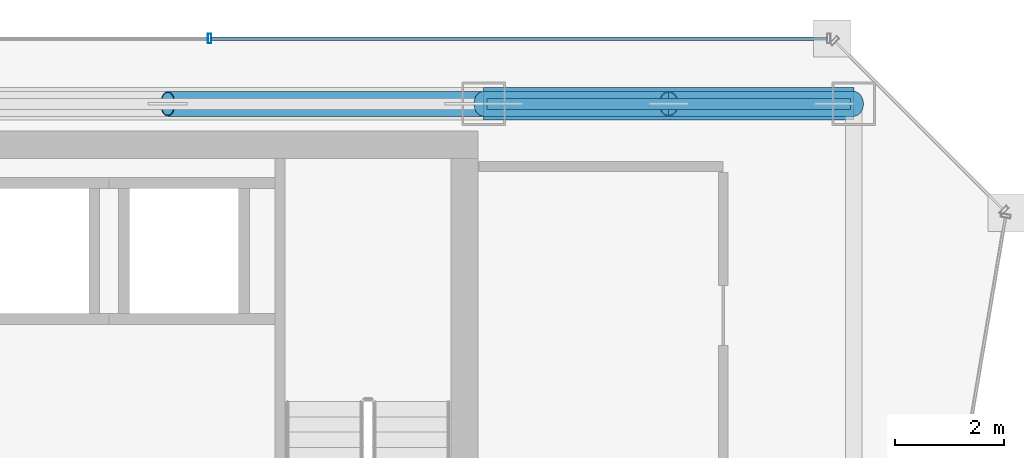
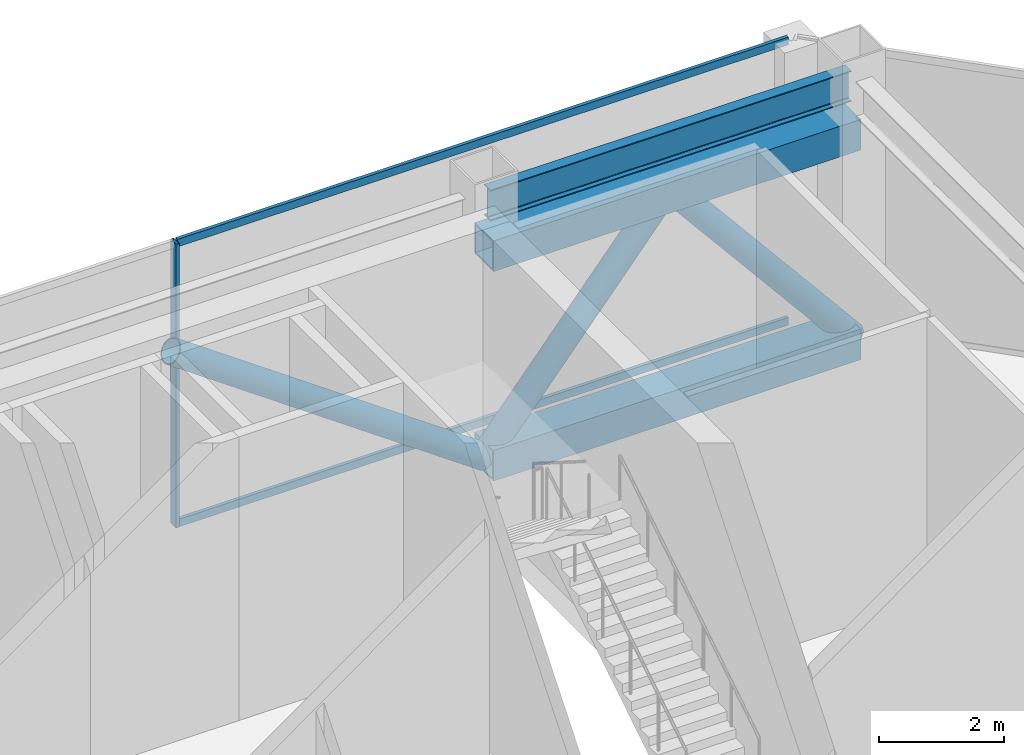
# One storey, part 26 of 34: 8 members, 1 beam, 1 element without a shape of its own.
"""IFC4 building model written with IfcOpenShell, lengths in metres."""

import ifcopenshell
import ifcopenshell.guid

model = None  # the IFC model being written
_history = None  # IfcOwnerHistory: only IFC2X3 demands one
_inside = {}  # id of a spatial element -> (the spatial element, [elements in it])
_under = {}  # id of a project, library or spatial element -> (it, [spatial elements below it])
_declared = {}  # id of a project -> (the project, [libraries it declares])
_typed = {}  # id of a type object -> (the type object, [elements of that type])
_made_of = {}  # id of a material, layer set ... -> (it, [elements and type objects made of it])


def new_model(schema):
    """Start an empty IFC model of exactly this schema.

    Asked for "IFC4X3", IfcOpenShell would pick the latest addendum, in which some entities
    have other attributes; the version numbers below select the first issue.
    IFC2X3 requires an IfcOwnerHistory on every rooted entity: one is made here for all.
    """
    global model, _history
    if schema == "IFC4X3":
        model = ifcopenshell.file(schema_version=(4, 3, 0, 0))
    else:
        model = ifcopenshell.file(schema=schema)
    _inside.clear()
    _under.clear()
    _declared.clear()
    _typed.clear()
    _made_of.clear()
    _history = None
    if model.schema == "IFC2X3":
        org = make("IfcOrganization", Name="unknown")
        user = make(
            "IfcPersonAndOrganization",
            ThePerson=make("IfcPerson", FamilyName="unknown"),
            TheOrganization=org,
        )
        app = make(
            "IfcApplication",
            ApplicationDeveloper=org,
            Version="unknown",
            ApplicationFullName="unknown",
            ApplicationIdentifier="unknown",
        )
        _history = make(
            "IfcOwnerHistory",
            OwningUser=user,
            OwningApplication=app,
            ChangeAction="ADDED",
            CreationDate=0,
        )
    return model


def make(cls, **values):
    """One entity of the class cls with the attributes given. An attribute that is None is left unset."""
    return model.create_entity(
        cls, **{name: value for name, value in values.items() if value is not None}
    )


def rooted(cls, **values):
    """An entity with a GlobalId (a new one), such as an element, a storey or a relation."""
    return make(cls, GlobalId=ifcopenshell.guid.new(), OwnerHistory=_history, **values)


def si_unit(unit_type, name, prefix=None):
    """IfcSIUnit, for example si_unit("LENGTHUNIT", "METRE", prefix="MILLI")."""
    return make("IfcSIUnit", UnitType=unit_type, Prefix=prefix, Name=name)


def assignment(units):
    """IfcUnitAssignment: the units of a project."""
    return None if units is None else make("IfcUnitAssignment", Units=units)


def point(xyz):
    """IfcCartesianPoint."""
    return None if xyz is None else make("IfcCartesianPoint", Coordinates=xyz)


def direction(xyz):
    """IfcDirection."""
    return None if xyz is None else make("IfcDirection", DirectionRatios=xyz)


def frame(location, z_axis=None, x_axis=None):
    """IfcAxis2Placement3D, a coordinate frame: its origin and axes. An axis left out is left unset."""
    return make(
        "IfcAxis2Placement3D",
        Location=point(location),
        Axis=direction(z_axis),
        RefDirection=direction(x_axis),
    )


def frame_2d(location, x_axis=None):
    """IfcAxis2Placement2D, a coordinate frame in the plane: its origin and x axis."""
    return make(
        "IfcAxis2Placement2D", Location=point(location), RefDirection=direction(x_axis)
    )


def origin():
    """The frame at (0, 0, 0) with its axes left unset."""
    return frame((0.0, 0.0, 0.0))


def origin_2d():
    """The frame at (0, 0) in the plane with its x axis left unset."""
    return frame_2d((0.0, 0.0))


def place(relative_to, where):
    """IfcLocalPlacement: puts the frame where relative to a parent placement (None: the world)."""
    return make(
        "IfcLocalPlacement", PlacementRelTo=relative_to, RelativePlacement=where
    )


def context(
    kind, dimensions, precision=None, world=None, true_north=None, identifier=None
):
    """IfcGeometricRepresentationContext, for example the 3D "Model" context."""
    return make(
        "IfcGeometricRepresentationContext",
        ContextIdentifier=identifier,
        ContextType=kind,
        CoordinateSpaceDimension=dimensions,
        Precision=precision,
        WorldCoordinateSystem=world,
        TrueNorth=true_north,
    )


def subcontext(parent, identifier, kind, view, scale=None):
    """IfcGeometricRepresentationSubContext, for example "Body" below "Model"."""
    return make(
        "IfcGeometricRepresentationSubContext",
        ContextIdentifier=identifier,
        ContextType=kind,
        ParentContext=parent,
        TargetScale=scale,
        TargetView=view,
    )


def project(units=None, contexts=None):
    """IfcProject with its units and contexts."""
    return rooted(
        "IfcProject",
        Name="project",
        RepresentationContexts=contexts,
        UnitsInContext=assignment(units),
    )


def spatial(cls, under=None, at=None, **own):
    """A site, building, storey or space (cls), placed at a placement, below another one or the project."""
    s = rooted(cls, ObjectPlacement=at, **own)
    if under is not None:
        _under.setdefault(under.id(), (under, []))[1].append(s)
    return s


def profile(cls, at=None, kind="AREA", **sizes):
    """A parametric profile (cls). Its sizes go by their IFC names, for example OverallWidth=200.0."""
    return make(cls, ProfileType=kind, Position=at, **sizes)


def hollow_rectangle(**sizes):
    """IfcRectangleHollowProfileDef."""
    return profile("IfcRectangleHollowProfileDef", **sizes)


def hollow_circle(**sizes):
    """IfcCircleHollowProfileDef."""
    return profile("IfcCircleHollowProfileDef", **sizes)


def i_section(**sizes):
    """IfcIShapeProfileDef."""
    return profile("IfcIShapeProfileDef", **sizes)


def extrude(swept, where, along, depth):
    """IfcExtrudedAreaSolid: the profile swept, set in the frame where, extruded along a direction by depth."""
    return make(
        "IfcExtrudedAreaSolid",
        SweptArea=swept,
        Position=where,
        ExtrudedDirection=direction(along),
        Depth=depth,
    )


def shape(context_of_items, identifier, shape_type, items):
    """IfcShapeRepresentation: the items that make up one representation, for example the "Body"."""
    return make(
        "IfcShapeRepresentation",
        ContextOfItems=context_of_items,
        RepresentationIdentifier=identifier,
        RepresentationType=shape_type,
        Items=items,
    )


def material(Name=None, Category=None):
    """IfcMaterial."""
    return make("IfcMaterial", Name=Name, Category=Category)


def material_profile(
    of_material, cross_section, Name=None, Category=None, Priority=None
):
    """IfcMaterialProfile: a cross section and its material."""
    return make(
        "IfcMaterialProfile",
        Name=Name,
        Material=of_material,
        Profile=cross_section,
        Priority=Priority,
        Category=Category,
    )


def profile_set(profiles, Name=None, composite=None):
    """IfcMaterialProfileSet."""
    return make(
        "IfcMaterialProfileSet",
        Name=Name,
        MaterialProfiles=profiles,
        CompositeProfile=composite,
    )


def made_of(thing, what):
    """Note that an element or type object is made of a material, layer set ...; save() writes the relation."""
    if what is not None:
        _made_of.setdefault(what.id(), (what, []))[1].append(thing)
    return thing


def type_object(cls, material=None, **own):
    """A type object (cls), such as IfcWallType, which elements share."""
    return made_of(rooted(cls, **own), material)


def element(
    cls,
    number,
    at=None,
    inside=None,
    cuts=None,
    type_object=None,
    material=None,
    context=None,
    identifier="Body",
    shape_type=None,
    held_by="IfcProductDefinitionShape",
    body=None,
    shapes=None,
    **own,
):
    """One element of the class cls, such as IfcWall. Its Tag is "e" and its number.

    at: its placement. inside: the storey or other place that contains it. cuts: it is an
    opening in that element (IfcRelVoidsElement). A single representation is given by context,
    identifier, shape_type and body (its items); several are given by shapes. held_by: the class
    of the entity that holds the representations. save() writes the other relations.
    """
    e = rooted(cls, Tag="e%d" % number, ObjectPlacement=at, **own)
    if body is not None:
        shapes = [shape(context, identifier, shape_type, body)]
    if shapes is not None:
        e.Representation = make(held_by, Representations=shapes)
    if inside is not None:
        _inside.setdefault(inside.id(), (inside, []))[1].append(e)
    if cuts is not None:
        rooted(
            "IfcRelVoidsElement", RelatingBuildingElement=cuts, RelatedOpeningElement=e
        )
    if type_object is not None:
        _typed.setdefault(type_object.id(), (type_object, []))[1].append(e)
    return made_of(e, material)


def aggregate(whole, parts):
    """IfcRelAggregates: a whole, such as a stair, and the parts it consists of."""
    return rooted("IfcRelAggregates", RelatingObject=whole, RelatedObjects=parts)


def save(model, path):
    """Write the relations noted so far, then the file.

    IfcRelAggregates (storeys below a building ...), IfcRelContainedInSpatialStructure (elements
    in a storey), IfcRelDefinesByType, IfcRelAssociatesMaterial and IfcRelDeclares: one each for
    every whole, place, type object, material and project.
    """
    for whole, parts in _under.values():
        aggregate(whole, parts)
    for where, things in _inside.values():
        rooted(
            "IfcRelContainedInSpatialStructure",
            RelatedElements=things,
            RelatingStructure=where,
        )
    for kind, things in _typed.values():
        rooted("IfcRelDefinesByType", RelatedObjects=things, RelatingType=kind)
    for what, things in _made_of.values():
        rooted("IfcRelAssociatesMaterial", RelatedObjects=things, RelatingMaterial=what)
    for by, libraries in _declared.values():
        rooted("IfcRelDeclares", RelatingContext=by, RelatedDefinitions=libraries)
    model.write(path)


model = new_model("IFC4")

# Units and contexts
model_context = context("Model", 3, precision=1e-05, world=origin(), true_north=direction((0.0, 1.0)))
body_context = subcontext(model_context, "Body", "Model", "MODEL_VIEW")
ifc_project = project(units=[si_unit("LENGTHUNIT", "METRE"), si_unit("AREAUNIT", "SQUARE_METRE"), si_unit("VOLUMEUNIT", "CUBIC_METRE"), si_unit("PLANEANGLEUNIT", "RADIAN"), si_unit("MASSUNIT", "GRAM", prefix="KILO")], contexts=[model_context])

# Site, building, storey
site_placement = place(None, origin())
site = spatial("IfcSite", under=ifc_project, at=site_placement, CompositionType="ELEMENT")
building_placement = place(site_placement, origin())
building = spatial("IfcBuilding", under=site, at=building_placement, Name="Saevonmaru Cultural Tower", CompositionType="ELEMENT")
storey_placement = place(building_placement, frame((0.0, 0.0, 224.60009765625)))
storey = spatial("IfcBuildingStorey", under=building, at=storey_placement, Name="L52", CompositionType="ELEMENT", Elevation=224.60009765625)

# Beam
ifc_material_1 = material(Name="Steel SM355", Category="steel")
ifc_material_profile_1 = material_profile(ifc_material_1, i_section(OverallWidth=0.199951171875, OverallDepth=0.60009765625, WebThickness=0.010986328125, FlangeThickness=0.01708984375, FilletRadius=0.02197265625, at=origin_2d()), Name="H-600x200x11x17")
ifc_profile_set_1 = profile_set([ifc_material_profile_1], Name="Steel SM355")
beam_type = type_object("IfcBeamType", Name="BM-SP-H600", PredefinedType="SPANDREL", material=ifc_profile_set_1)
beam_placement = place(storey_placement, frame((46.4599609375, 54.800048828125, 5.25), z_axis=(1.0, 0.0, 0.0), x_axis=(0.0, 1.0, 0.0)))
element("IfcBeam", 1, at=beam_placement, inside=storey, type_object=beam_type, Name="L52 North Spine Girder 5", PredefinedType="SPANDREL", context=body_context, shape_type="SweptSolid", body=[
    extrude(i_section(OverallWidth=0.199951171875, OverallDepth=0.60009765625, WebThickness=0.010986328125, FlangeThickness=0.01708984375, FilletRadius=0.02197265625, at=origin_2d()), origin(), (0.0, 0.0, 1.0), 6.679931640625),
])

# Members
ifc_material_2 = material(Name="Steel SM420", Category="steel")
ifc_material_profile_2 = material_profile(ifc_material_2, hollow_circle(Radius=0.228515625, WallThickness=0.02001953125, at=origin_2d()), Name="CHS-457.2x20")
ifc_profile_set_2 = profile_set([ifc_material_profile_2], Name="Steel SM420")
member_type_1 = type_object("IfcMemberType", Name="MB-OBR-CHS457", PredefinedType="BRACE", material=ifc_profile_set_2)
member_1_placement = place(storey_placement, frame((46.39990234375, 54.800048828125, 0.2998046875), z_axis=(-0.816561854752, 0.0, 0.577257946991), x_axis=(0.0, -1.0, 0.0)))
element("IfcMember", 2, at=member_1_placement, inside=storey, type_object=member_type_1, Name="L52 Outrigger Truss Diagonal OE1-2", PredefinedType="BRACE", context=body_context, shape_type="SweptSolid", body=[
    extrude(hollow_circle(Radius=0.228515625, WallThickness=0.02001953125, at=origin_2d()), origin(), (0.0, 0.0, 1.0), 7.102783203125),
])
for number, where, z_axis, x_axis, name in (
    (3, (46.39990234375, 54.800048828125, 0.2998046875), (0.63834315598, 0.0, 0.769751917967), (0.0, 1.0, 0.0), "L52 Outrigger Truss Diagonal OE2-1"),
    (4, (53.199951171875, 54.800048828125, 0.2998046875), (-0.638315996762, 0.0, 0.76977443987), (0.0, -1.0, 0.0), "L52 Outrigger Truss Diagonal OE2-2"),
):
    element("IfcMember", number, at=place(storey_placement, frame(where, z_axis=z_axis, x_axis=x_axis)), inside=storey, type_object=member_type_1, Name=name, PredefinedType="BRACE", context=body_context, shape_type="SweptSolid", body=[
        extrude(hollow_circle(Radius=0.228515625, WallThickness=0.02001953125, at=origin_2d()), origin(), (0.0, 0.0, 1.0), 5.326416015625),
    ])
ifc_material_profile_3 = material_profile(ifc_material_2, hollow_rectangle(XDim=0.60009765625, YDim=0.60009765625, WallThickness=0.028076171875, at=origin_2d()), Name="BOX-600x600x28")
ifc_profile_set_3 = profile_set([ifc_material_profile_3], Name="Steel SM420")
member_type_2 = type_object("IfcMemberType", Name="MB-OCH-BOX600", PredefinedType="CHORD", material=ifc_profile_set_3)
for number, where, z_axis, x_axis, name in (
    (5, (46.39990234375, 54.800048828125, 0.2998046875), (1.0, 0.0, 0.0), (0.0, 1.0, 0.0), "L52 Outrigger Truss Bottom Chord OE2"),
    (6, (46.39990234375, 54.800048828125, 4.39990234375), (1.0, 0.0, 0.0), (0.0, 1.0, 0.0), "L52 Outrigger Truss Top Chord OE2"),
):
    element("IfcMember", number, at=place(storey_placement, frame(where, z_axis=z_axis, x_axis=x_axis)), inside=storey, type_object=member_type_2, Name=name, PredefinedType="CHORD", context=body_context, shape_type="SweptSolid", body=[
        extrude(hollow_rectangle(XDim=0.60009765625, YDim=0.60009765625, WallThickness=0.028076171875, at=origin_2d()), origin(), (0.0, 0.0, 1.0), 6.800048828125),
    ])

# Curtain wall, members
ifc_material_3 = material(Name="Satin Bronze Anodised Aluminium", Category="aluminium")
curtain_wall_type = type_object("IfcCurtainWallType", Name="CW-TYP-B", PredefinedType="NOTDEFINED", material=ifc_material_3)
curtain_wall_placement = place(storey_placement, origin())
curtain_wall = element("IfcCurtainWall", 7, at=curtain_wall_placement, inside=storey, type_object=curtain_wall_type, Name="L52 Wind-Floor Acoustic Louvre Screen E10", PredefinedType="NOTDEFINED")
ifc_material_profile_4 = material_profile(ifc_material_3, hollow_rectangle(XDim=0.06494140625, YDim=0.179931640625, WallThickness=0.00390625, at=origin_2d()), Name="ALU-MULL-180x65x4")
ifc_profile_set_4 = profile_set([ifc_material_profile_4], Name="Satin Bronze Anodised Aluminium")
member_type_3 = type_object("IfcMemberType", Name="ML-CW-180x65", PredefinedType="MULLION", material=ifc_profile_set_4)
member_2_placement = place(storey_placement, frame((41.3701171875, 56.0, 0.0), z_axis=(0.0, 0.0, 1.0), x_axis=(-1.0, 0.0, 0.0)))
member_2 = element("IfcMember", 8, at=member_2_placement, type_object=member_type_3, Name="CW-TW-L52-E10 mullion 2", PredefinedType="MULLION", context=body_context, shape_type="SweptSolid", body=[
    extrude(hollow_rectangle(XDim=0.06494140625, YDim=0.179931640625, WallThickness=0.00390625, at=origin_2d()), origin(), (0.0, 0.0, 1.0), 5.5498046875),
])
ifc_material_profile_5 = material_profile(ifc_material_3, hollow_rectangle(XDim=0.06494140625, YDim=0.14990234375, WallThickness=0.00390625, at=origin_2d()), Name="ALU-TRAN-150x65x4")
ifc_profile_set_5 = profile_set([ifc_material_profile_5], Name="Satin Bronze Anodised Aluminium")
member_type_4 = type_object("IfcMemberType", Name="TR-CW-150x65", PredefinedType="USERDEFINED", material=ifc_profile_set_5)
member_3_placement = place(storey_placement, frame((52.70751953125, 56.0, 0.032470703125), z_axis=(-1.0, 0.0, 0.0), x_axis=(0.0, -1.0, 0.0)))
member_3 = element("IfcMember", 9, at=member_3_placement, type_object=member_type_4, Name="CW-TW-L52-E10 transom 1.1", ObjectType="TRANSOM", PredefinedType="USERDEFINED", context=body_context, shape_type="SweptSolid", body=[
    extrude(hollow_rectangle(XDim=0.06494140625, YDim=0.14990234375, WallThickness=0.00390625, at=origin_2d()), origin(), (0.0, 0.0, 1.0), 11.304931640625),
])
member_4_placement = place(storey_placement, frame((52.70751953125, 56.0, 5.517333984375), z_axis=(-1.0, 0.0, 0.0), x_axis=(0.0, -1.0, 0.0)))
member_4 = element("IfcMember", 10, at=member_4_placement, type_object=member_type_4, Name="CW-TW-L52-E10 transom 1.2", ObjectType="TRANSOM", PredefinedType="USERDEFINED", context=body_context, shape_type="SweptSolid", body=[
    extrude(hollow_rectangle(XDim=0.06494140625, YDim=0.14990234375, WallThickness=0.00390625, at=origin_2d()), origin(), (0.0, 0.0, 1.0), 11.304931640625),
])
aggregate(curtain_wall, [member_2, member_3, member_4])

save(model, "model.ifc")
